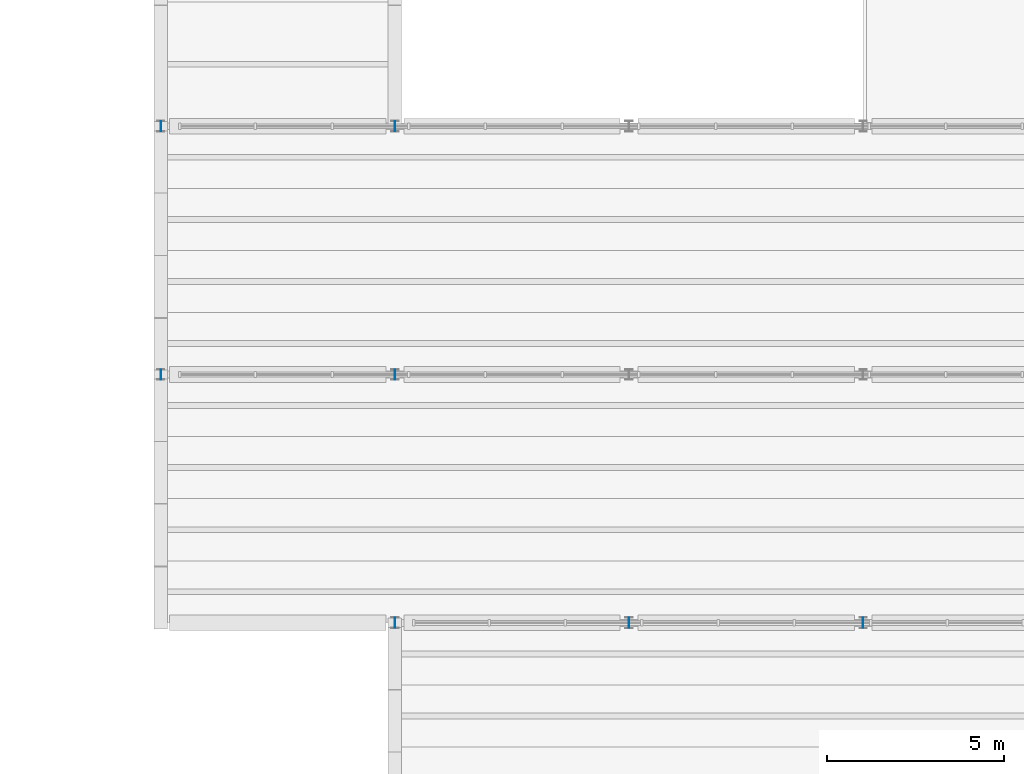
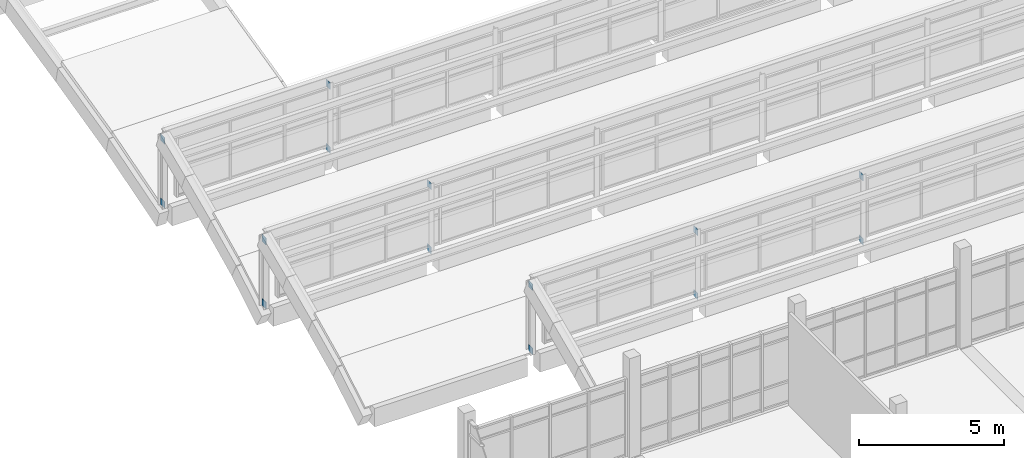
# One storey, part 76 of 92: 14 plates.
"""IFC4 building model written with IfcOpenShell, lengths in metres."""

from ifc_helpers import new_model, si_unit, direction, frame, origin, origin_2d, place, context, subcontext, project, spatial, rectangle, extrude, material, layer, layer_set, type_object, element, save


model = new_model("IFC4")

# Units and contexts
model_context = context("Model", 3, precision=1e-05, world=origin(), true_north=direction((0.0, 1.0)))
body_context = subcontext(model_context, "Body", "Model", "MODEL_VIEW")
ifc_project = project(units=[si_unit("LENGTHUNIT", "METRE"), si_unit("AREAUNIT", "SQUARE_METRE"), si_unit("VOLUMEUNIT", "CUBIC_METRE"), si_unit("PLANEANGLEUNIT", "RADIAN"), si_unit("MASSUNIT", "GRAM", prefix="KILO")], contexts=[model_context])

# Site, building, storey
site_placement = place(None, origin())
site = spatial("IfcSite", under=ifc_project, at=site_placement, CompositionType="ELEMENT")
building_placement = place(site_placement, origin())
building = spatial("IfcBuilding", under=site, at=building_placement, Name="Ciguamira Faculty of Natural Sciences", CompositionType="ELEMENT")
storey_placement = place(building_placement, frame((0.0, 0.0, 16.800048828125)))
storey = spatial("IfcBuildingStorey", under=building, at=storey_placement, Name="L04", CompositionType="ELEMENT", Elevation=16.800048828125)

# Plates
ifc_material = material(Name="Steel ASTM A572 Grade 50", Category="steel")
ifc_layer = layer(ifc_material, 0.01611328125, Name="Steel ASTM A572 Grade 50")
ifc_layer_set = layer_set([ifc_layer], Name="Steel ASTM A572 Grade 50")
plate_type = type_object("IfcPlateType", Name="GussetPlate_EP-01", PredefinedType="SHEET", material=ifc_layer_set)
for number, where, z_axis, x_axis, name in (
    (1, (63.89990234375, 45.0, 0.0), (0.0, 0.0, 1.0), (1.0, 0.0, 0.0), "V4 wave 1 post connection plate 64-1"),
    (2, (63.89990234375, 45.0, 2.7060546875), (0.0, 0.0, 1.0), (1.0, 0.0, 0.0), "V4 wave 1 post connection plate 64-2"),
    (3, (70.5, 45.0, 0.0), (0.0, 0.0, 1.0), (1.0, 0.0, 0.0), "V4 wave 1 post connection plate 70-1"),
    (4, (70.5, 45.0, 2.7060546875), (0.0, 0.0, 1.0), (1.0, 0.0, 0.0), "V4 wave 1 post connection plate 70-2"),
    (5, (77.10009765625, 45.0, 0.0), (0.0, 0.0, 1.0), (1.0, 0.0, 0.0), "V4 wave 1 post connection plate 77-1"),
    (6, (77.10009765625, 45.0, 2.7060546875), (0.0, 0.0, 1.0), (1.0, 0.0, 0.0), "V4 wave 1 post connection plate 77-2"),
    (7, (57.300048828125, 52.0, 0.0), (0.0, 0.0, 1.0), (1.0, 0.0, 0.0), "V4 wave 2 post connection plate 57-1"),
    (8, (57.300048828125, 52.0, 2.7060546875), (0.0, 0.0, 1.0), (1.0, 0.0, 0.0), "V4 wave 2 post connection plate 57-2"),
    (9, (63.89990234375, 52.0, 0.0), (0.0, 0.0, 1.0), (1.0, 0.0, 0.0), "V4 wave 2 post connection plate 64-1"),
    (10, (63.89990234375, 52.0, 2.7060546875), (0.0, 0.0, 1.0), (1.0, 0.0, 0.0), "V4 wave 2 post connection plate 64-2"),
    (11, (57.300048828125, 59.0, 0.0), (0.0, 0.0, 1.0), (1.0, 0.0, 0.0), "V4 wave 3 post connection plate 57-1"),
    (12, (57.300048828125, 59.0, 2.7060546875), (0.0, 0.0, 1.0), (1.0, 0.0, 0.0), "V4 wave 3 post connection plate 57-2"),
    (13, (63.89990234375, 59.0, 0.0), (0.0, 0.0, 1.0), (1.0, 0.0, 0.0), "V4 wave 3 post connection plate 64-1"),
    (14, (63.89990234375, 59.0, 2.7060546875), (0.0, 0.0, 1.0), (1.0, 0.0, 0.0), "V4 wave 3 post connection plate 64-2"),
):
    element("IfcPlate", number, at=place(storey_placement, frame(where, z_axis=z_axis, x_axis=x_axis)), inside=storey, type_object=plate_type, Name=name, PredefinedType="SHEET", context=body_context, shape_type="SweptSolid", body=[
        extrude(rectangle(XDim=0.01611328125, YDim=0.280029296875, at=origin_2d()), origin(), (0.0, 0.0, 1.0), 0.280029296875),
    ])

save(model, "model.ifc")
